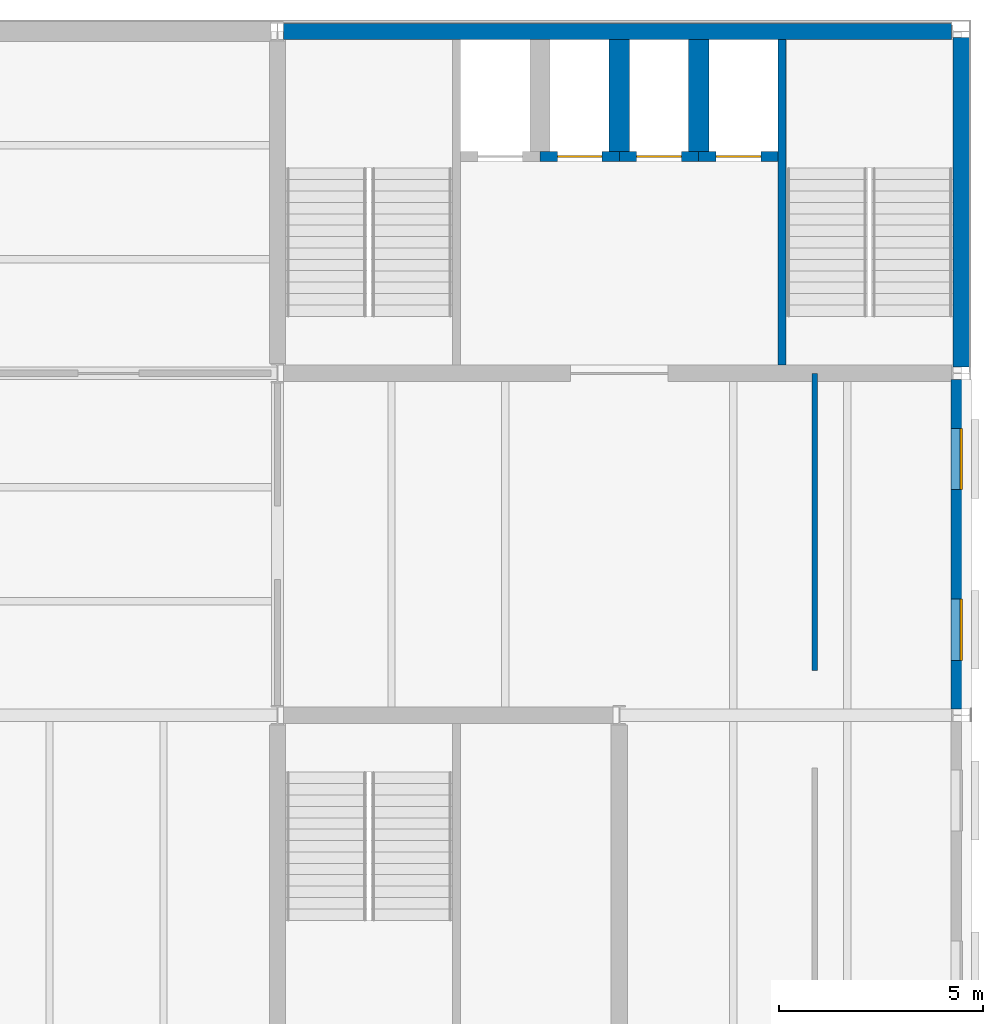
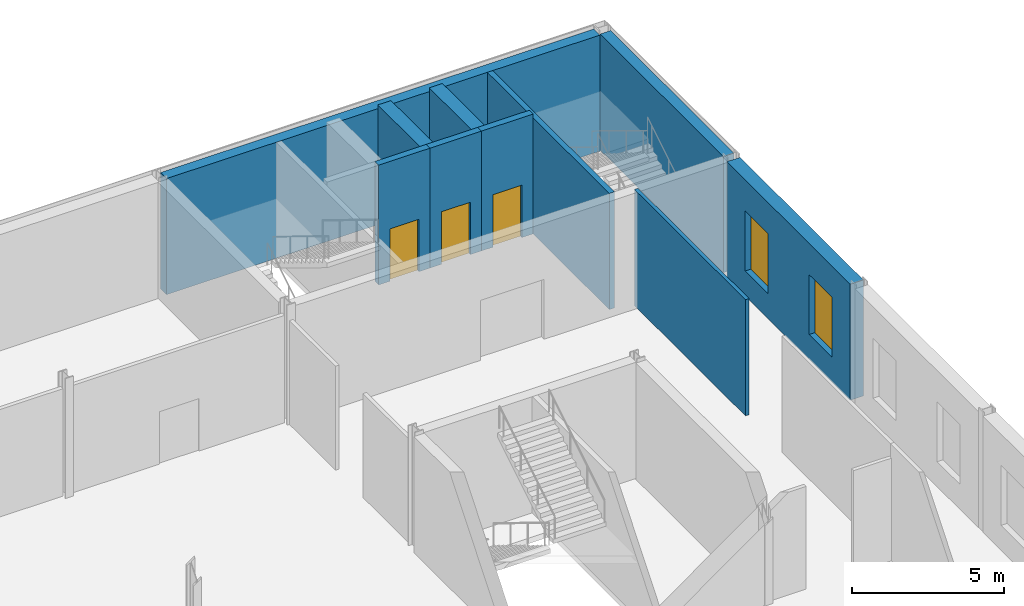
# One storey, part 34 of 57: 10 walls, 3 doors, 2 windows, 5 openings.
"""IFC4 building model written with IfcOpenShell, lengths in metres."""

from ifc_helpers import new_model, si_unit, direction, frame, frame_2d, origin, place, context, subcontext, project, spatial, rectangle, extrude, material, layer, layer_set, type_object, element, fill, save


model = new_model("IFC4")

# Units and contexts
model_context = context("Model", 3, precision=1e-05, world=origin(), true_north=direction((0.0, 1.0)))
body_context = subcontext(model_context, "Body", "Model", "MODEL_VIEW")
ifc_project = project(units=[si_unit("LENGTHUNIT", "METRE"), si_unit("AREAUNIT", "SQUARE_METRE"), si_unit("VOLUMEUNIT", "CUBIC_METRE"), si_unit("PLANEANGLEUNIT", "RADIAN"), si_unit("MASSUNIT", "GRAM", prefix="KILO")], contexts=[model_context])

# Site, building, storey
site_placement = place(None, origin())
site = spatial("IfcSite", under=ifc_project, at=site_placement, CompositionType="ELEMENT")
building_placement = place(site_placement, origin())
building = spatial("IfcBuilding", under=site, at=building_placement, Name="Galleria Vessillo Department Store", CompositionType="ELEMENT")
storey_placement = place(building_placement, frame((0.0, 0.0, 21.0)))
storey = spatial("IfcBuildingStorey", under=building, at=storey_placement, Name="L04", CompositionType="ELEMENT", Elevation=21.0)

# Walls
ifc_material_1 = material(Name="Solid clay block masonry", Category="masonry")
ifc_layer_1 = layer(ifc_material_1, 0.5)
ifc_layer_set_1 = layer_set([ifc_layer_1], Name="Solid clay block masonry")
wall_type_1 = type_object("IfcWallType", Name="Lift shaft partition wall 500 mm", PredefinedType="SOLIDWALL", material=ifc_layer_set_1)
for number, where, z_axis, x_axis, name in (
    (1, (109.199951171875, 62.800048828125, 0.0), (0.0, 0.0, 1.0), (0.0, -1.0, 0.0), "Lift shaft partition wall T2 L04"),
    (2, (111.14990234375, 62.800048828125, 0.0), (0.0, 0.0, 1.0), (0.0, -1.0, 0.0), "Lift shaft partition wall T3 L04"),
):
    element("IfcWall", number, at=place(storey_placement, frame(where, z_axis=z_axis, x_axis=x_axis)), inside=storey, type_object=wall_type_1, Name=name, PredefinedType="SOLIDWALL", context=body_context, shape_type="SweptSolid", body=[
        extrude(rectangle(XDim=2.75, YDim=0.5, at=frame_2d((1.375, 0.0))), origin(), (0.0, 0.0, 1.0), 4.800048828125),
    ])

# Wall, opening, door
ifc_material_2 = material(Name="Solid clay block masonry", Category="masonry")
ifc_layer_2 = layer(ifc_material_2, 0.25)
ifc_layer_set_2 = layer_set([ifc_layer_2], Name="Solid clay block masonry")
wall_type_2 = type_object("IfcWallType", Name="Lift shaft wall 250 mm", PredefinedType="SOLIDWALL", material=ifc_layer_set_2)
wall_1_placement = place(storey_placement, frame((107.25, 59.925048828125, 0.0), z_axis=(0.0, 0.0, 1.0), x_axis=(1.0, 0.0, 0.0)))
wall_1 = element("IfcWall", 3, at=wall_1_placement, inside=storey, type_object=wall_type_2, Name="Lift shaft wall T2 landing side L04", PredefinedType="SOLIDWALL", context=body_context, shape_type="SweptSolid", body=[
    extrude(rectangle(XDim=1.949951171875, YDim=0.25, at=frame_2d((0.97509765625, 0.0))), origin(), (0.0, 0.0, 1.0), 4.800048828125),
])
opening_1_placement = place(wall_1_placement, frame((0.425048828125, 0.0, 0.0)))
opening_1 = element("IfcOpeningElement", 4, at=opening_1_placement, cuts=wall_1, Name="Opening LD090", PredefinedType="OPENING", context=body_context, shape_type="SweptSolid", body=[
    extrude(rectangle(XDim=1.10009765625, YDim=2.10009765625, at=frame_2d((0.550048828125, 1.050048828125))), frame((0.0, 0.135009765625, 0.0), z_axis=(0.0, -1.0, 0.0), x_axis=(1.0, 0.0, 0.0)), (0.0, 0.0, 1.0), 0.27001953125),
])
ifc_material_3 = material(Name="Stainless steel lift door panel", Category="steel")
door_type = type_object("IfcDoorType", Name="Lift landing door LD110 sliding 1100 x 2100", OperationType="SLIDING_TO_LEFT", PredefinedType="DOOR", material=ifc_material_3)
door_1_placement = place(opening_1_placement, frame((1.10009765625, 0.0, 0.0), z_axis=(0.0, 0.0, 1.0), x_axis=(-1.0, 0.0, 0.0)))
door_1 = element("IfcDoor", 5, at=door_1_placement, inside=storey, type_object=door_type, Name="Lift landing door T2 L04", OperationType="SLIDING_TO_RIGHT", OverallHeight=2.10009765625, OverallWidth=1.10009765625, PredefinedType="DOOR", context=body_context, shape_type="SweptSolid", body=[
    extrude(rectangle(XDim=1.10009765625, YDim=2.10009765625, at=frame_2d((0.550048828125, 1.050048828125))), frame((0.0, 0.02490234375, 0.0), z_axis=(0.0, -1.0, 0.0), x_axis=(1.0, 0.0, 0.0)), (0.0, 0.0, 1.0), 0.050048828125),
])
fill(opening_1, door_1)

wall_2_placement = place(storey_placement, frame((109.199951171875, 59.925048828125, 0.0), z_axis=(0.0, 0.0, 1.0), x_axis=(1.0, 0.0, 0.0)))
wall_2 = element("IfcWall", 6, at=wall_2_placement, inside=storey, type_object=wall_type_2, Name="Lift shaft wall T3 landing side L04", PredefinedType="SOLIDWALL", context=body_context, shape_type="SweptSolid", body=[
    extrude(rectangle(XDim=1.949951171875, YDim=0.25, at=frame_2d((0.97509765625, 0.0))), origin(), (0.0, 0.0, 1.0), 4.800048828125),
])
opening_2_placement = place(wall_2_placement, frame((0.425048828125, 0.0, 0.0)))
opening_2 = element("IfcOpeningElement", 7, at=opening_2_placement, cuts=wall_2, Name="Opening LD091", PredefinedType="OPENING", context=body_context, shape_type="SweptSolid", body=[
    extrude(rectangle(XDim=1.10009765625, YDim=2.10009765625, at=frame_2d((0.550048828125, 1.050048828125))), frame((0.0, 0.135009765625, 0.0), z_axis=(0.0, -1.0, 0.0), x_axis=(1.0, 0.0, 0.0)), (0.0, 0.0, 1.0), 0.27001953125),
])
door_2_placement = place(opening_2_placement, frame((1.10009765625, 0.0, 0.0), z_axis=(0.0, 0.0, 1.0), x_axis=(-1.0, 0.0, 0.0)))
door_2 = element("IfcDoor", 8, at=door_2_placement, inside=storey, type_object=door_type, Name="Lift landing door T3 L04", OperationType="SLIDING_TO_RIGHT", OverallHeight=2.10009765625, OverallWidth=1.10009765625, PredefinedType="DOOR", context=body_context, shape_type="SweptSolid", body=[
    extrude(rectangle(XDim=1.10009765625, YDim=2.10009765625, at=frame_2d((0.550048828125, 1.050048828125))), frame((0.0, 0.02490234375, 0.0), z_axis=(0.0, -1.0, 0.0), x_axis=(1.0, 0.0, 0.0)), (0.0, 0.0, 1.0), 0.050048828125),
])
fill(opening_2, door_2)

wall_3_placement = place(storey_placement, frame((111.14990234375, 59.925048828125, 0.0), z_axis=(0.0, 0.0, 1.0), x_axis=(1.0, 0.0, 0.0)))
wall_3 = element("IfcWall", 9, at=wall_3_placement, inside=storey, type_object=wall_type_2, Name="Lift shaft wall T4 landing side L04", PredefinedType="SOLIDWALL", context=body_context, shape_type="SweptSolid", body=[
    extrude(rectangle(XDim=1.9501953125, YDim=0.25, at=frame_2d((0.97509765625, 0.0))), origin(), (0.0, 0.0, 1.0), 4.800048828125),
])
opening_3_placement = place(wall_3_placement, frame((0.425048828125, 0.0, 0.0)))
opening_3 = element("IfcOpeningElement", 10, at=opening_3_placement, cuts=wall_3, Name="Opening LD092", PredefinedType="OPENING", context=body_context, shape_type="SweptSolid", body=[
    extrude(rectangle(XDim=1.10009765625, YDim=2.10009765625, at=frame_2d((0.550048828125, 1.050048828125))), frame((0.0, 0.135009765625, 0.0), z_axis=(0.0, -1.0, 0.0), x_axis=(1.0, 0.0, 0.0)), (0.0, 0.0, 1.0), 0.27001953125),
])
door_3_placement = place(opening_3_placement, frame((1.10009765625, 0.0, 0.0), z_axis=(0.0, 0.0, 1.0), x_axis=(-1.0, 0.0, 0.0)))
door_3 = element("IfcDoor", 11, at=door_3_placement, inside=storey, type_object=door_type, Name="Lift landing door T4 L04", OperationType="SLIDING_TO_LEFT", OverallHeight=2.10009765625, OverallWidth=1.10009765625, PredefinedType="DOOR", context=body_context, shape_type="SweptSolid", body=[
    extrude(rectangle(XDim=1.10009765625, YDim=2.10009765625, at=frame_2d((0.550048828125, 1.050048828125))), frame((0.0, 0.02490234375, 0.0), z_axis=(0.0, -1.0, 0.0), x_axis=(1.0, 0.0, 0.0)), (0.0, 0.0, 1.0), 0.050048828125),
])
fill(opening_3, door_3)

# Wall, openings, windows
ifc_material_4 = material(Name="Reinforced masonry, limestone units 80 MPa", Category="masonry")
ifc_layer_3 = layer(ifc_material_4, 0.5)
ifc_layer_set_3 = layer_set([ifc_layer_3], Name="Reinforced masonry, limestone units 80 MPa")
wall_type_3 = type_object("IfcWallType", Name="Load-bearing limestone-faced wall 500 mm", PredefinedType="STANDARD", material=ifc_layer_set_3)
wall_4_placement = place(storey_placement, frame((117.60009765625, 46.353515625, 0.0), z_axis=(0.0, 0.0, 1.0), x_axis=(0.0, 1.0, 0.0)))
wall_4 = element("IfcWall", 12, at=wall_4_placement, inside=storey, type_object=wall_type_3, Name="Load-bearing limestone-faced wall 500 mm SE-L04-05", PredefinedType="STANDARD", context=body_context, shape_type="SweptSolid", body=[
    extrude(rectangle(XDim=8.093017578125, YDim=0.5, at=frame_2d((4.04638671875, 0.0))), origin(), (0.0, 0.0, 1.0), 4.650146484375),
])
opening_4_placement = place(wall_4_placement, frame((1.196533203125, 0.0, 1.0)))
opening_4 = element("IfcOpeningElement", 13, at=opening_4_placement, cuts=wall_4, Name="Opening W063", PredefinedType="OPENING", context=body_context, shape_type="SweptSolid", body=[
    extrude(rectangle(XDim=1.5, YDim=2.39990234375, at=frame_2d((0.75, 1.199951171875))), frame((0.0, 0.260009765625, 0.0), z_axis=(0.0, -1.0, 0.0), x_axis=(1.0, 0.0, 0.0)), (0.0, 0.0, 1.0), 0.52001953125),
])
opening_5_placement = place(wall_4_placement, frame((5.396484375, 0.0, 1.0)))
opening_5 = element("IfcOpeningElement", 14, at=opening_5_placement, cuts=wall_4, Name="Opening W064", PredefinedType="OPENING", context=body_context, shape_type="SweptSolid", body=[
    extrude(rectangle(XDim=1.5, YDim=2.39990234375, at=frame_2d((0.75, 1.199951171875))), frame((0.0, 0.260009765625, 0.0), z_axis=(0.0, -1.0, 0.0), x_axis=(1.0, 0.0, 0.0)), (0.0, 0.0, 1.0), 0.52001953125),
])
ifc_material_5 = material(Name="Aluminium frame with laminated glass 44.2", Category="aluminium")
window_type = type_object("IfcWindowType", Name="Third order window 1500 x 2400", PartitioningType="SINGLE_PANEL", PredefinedType="WINDOW", material=ifc_material_5)
window_1_placement = place(opening_4_placement, origin())
window_1 = element("IfcWindow", 15, at=window_1_placement, inside=storey, type_object=window_type, Name="E-WIN-SE-L04-05-063", OverallHeight=2.39990234375, OverallWidth=1.5, PartitioningType="SINGLE_PANEL", PredefinedType="WINDOW", context=body_context, shape_type="SweptSolid", body=[
    extrude(rectangle(XDim=1.5, YDim=2.39990234375, at=frame_2d((0.75, 1.199951171875))), frame((0.0, 0.030029296875, 0.0), z_axis=(0.0, -1.0, 0.0), x_axis=(1.0, 0.0, 0.0)), (0.0, 0.0, 1.0), 0.06005859375),
])
fill(opening_4, window_1)
window_2_placement = place(opening_5_placement, origin())
window_2 = element("IfcWindow", 16, at=window_2_placement, inside=storey, type_object=window_type, Name="E-WIN-SE-L04-05-064", OverallHeight=2.39990234375, OverallWidth=1.5, PartitioningType="SINGLE_PANEL", PredefinedType="WINDOW", context=body_context, shape_type="SweptSolid", body=[
    extrude(rectangle(XDim=1.5, YDim=2.39990234375, at=frame_2d((0.75, 1.199951171875))), frame((0.0, 0.030029296875, 0.0), z_axis=(0.0, -1.0, 0.0), x_axis=(1.0, 0.0, 0.0)), (0.0, 0.0, 1.0), 0.06005859375),
])
fill(opening_5, window_2)

# Walls
ifc_material_6 = material(Name="Concrete C32/40 reinforced", Category="concrete")
ifc_layer_4 = layer(ifc_material_6, 0.39990234375)
ifc_layer_set_4 = layer_set([ifc_layer_4], Name="Concrete C32/40 reinforced")
wall_type_4 = type_object("IfcWallType", Name="Reinforced concrete core wall 400 mm, external", PredefinedType="SHEAR", material=ifc_layer_set_4)
wall_5_placement = place(storey_placement, frame((100.95361328125, 63.0, 0.0), z_axis=(0.0, 0.0, 1.0), x_axis=(1.0, 0.0, 0.0)))
element("IfcWall", 17, at=wall_5_placement, inside=storey, type_object=wall_type_4, Name="S-CW-TC-PARTY-L04", PredefinedType="SHEAR", context=body_context, shape_type="SweptSolid", body=[
    extrude(rectangle(XDim=16.407470703125, YDim=0.39990234375, at=frame_2d((8.20361328125, 0.0))), origin(), (0.0, 0.0, 1.0), 4.650146484375),
])
wall_6_placement = place(storey_placement, frame((117.60009765625, 54.753662109375, 0.0), z_axis=(0.0, 0.0, 1.0), x_axis=(0.0, 1.0, 0.0)))
element("IfcWall", 18, at=wall_6_placement, inside=storey, type_object=wall_type_4, Name="S-CW-TC-EAST-L04", PredefinedType="SHEAR", context=body_context, shape_type="SweptSolid", body=[
    extrude(rectangle(XDim=8.0927734375, YDim=0.39990234375, at=frame_2d((4.04638671875, 0.0))), origin(), (0.0, 0.0, 1.0), 4.650146484375),
])
ifc_material_7 = material(Name="Concrete C32/40 reinforced", Category="concrete")
ifc_layer_5 = layer(ifc_material_7, 0.199951171875)
ifc_layer_set_5 = layer_set([ifc_layer_5], Name="Concrete C32/40 reinforced")
wall_type_5 = type_object("IfcWallType", Name="Reinforced concrete stair enclosure wall 200 mm", PredefinedType="SHEAR", material=ifc_layer_set_5)
wall_7_placement = place(storey_placement, frame((113.199951171875, 62.800048828125, 0.0), z_axis=(0.0, 0.0, 1.0), x_axis=(0.0, -1.0, 0.0)))
element("IfcWall", 19, at=wall_7_placement, inside=storey, type_object=wall_type_5, Name="Stair enclosure wall TC L04", PredefinedType="SHEAR", context=body_context, shape_type="SweptSolid", body=[
    extrude(rectangle(XDim=8.0, YDim=0.199951171875, at=frame_2d((4.0, 0.0))), origin(), (0.0, 0.0, 1.0), 4.64990234375),
])
ifc_material_8 = material(Name="Gypsum board partition")
ifc_layer_6 = layer(ifc_material_8, 0.139892578125)
ifc_layer_set_6 = layer_set([ifc_layer_6], Name="Gypsum board partition")
wall_type_6 = type_object("IfcWallType", Name="Sales dividing wall 140 mm", PredefinedType="PARTITIONING", material=ifc_layer_set_6)
wall_8_placement = place(storey_placement, frame((114.0, 47.300048828125, 0.0), z_axis=(0.0, 0.0, 1.0), x_axis=(0.0, 1.0, 0.0)))
element("IfcWall", 20, at=wall_8_placement, inside=storey, type_object=wall_type_6, Name="Partition wall PT3 on L04 no. 079", PredefinedType="PARTITIONING", context=body_context, shape_type="SweptSolid", body=[
    extrude(rectangle(XDim=7.2900390625, YDim=0.139892578125, at=frame_2d((3.64501953125, 0.0))), origin(), (0.0, 0.0, 1.0), 4.650146484375),
])

save(model, "model.ifc")
